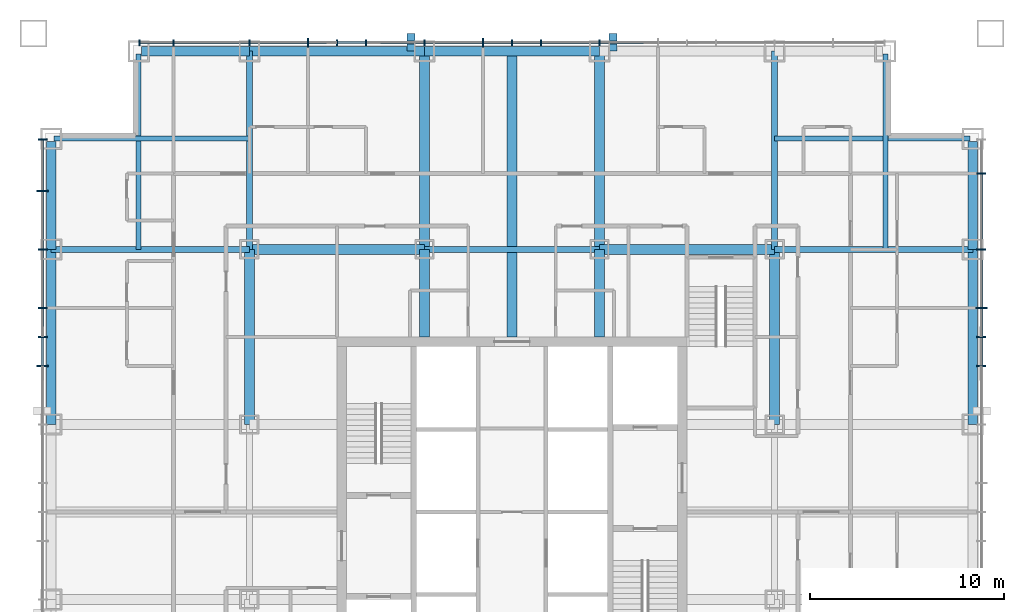
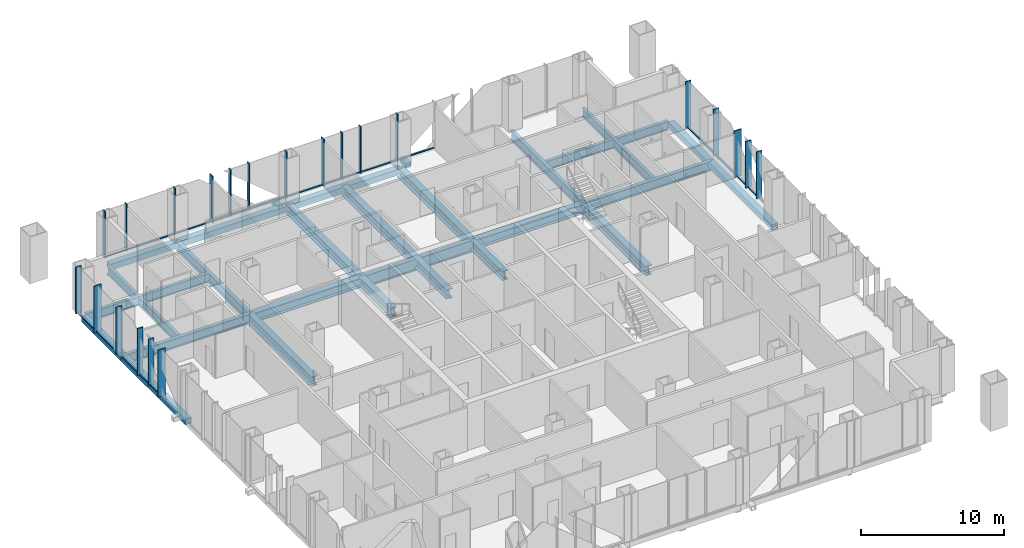
# One storey, part 5 of 18: 44 members, 25 beams, 3 elements without a shape of their own.
"""IFC4 building model written with IfcOpenShell, lengths in metres."""

from ifc_helpers import new_model, si_unit, direction, frame, origin, origin_2d, place, context, subcontext, project, spatial, rectangle, hollow_rectangle, i_section, extrude, material, layer, layer_set, material_profile, profile_set, type_object, element, aggregate, save


model = new_model("IFC4")

# Units and contexts
model_context = context("Model", 3, precision=1e-05, world=origin(), true_north=direction((0.0, 1.0)))
body_context = subcontext(model_context, "Body", "Model", "MODEL_VIEW")
ifc_project = project(units=[si_unit("LENGTHUNIT", "METRE"), si_unit("AREAUNIT", "SQUARE_METRE"), si_unit("VOLUMEUNIT", "CUBIC_METRE"), si_unit("PLANEANGLEUNIT", "RADIAN"), si_unit("MASSUNIT", "GRAM", prefix="KILO")], contexts=[model_context])

# Site, building, storey
site_placement = place(None, origin())
site = spatial("IfcSite", under=ifc_project, at=site_placement, CompositionType="ELEMENT")
building_placement = place(site_placement, origin())
building = spatial("IfcBuilding", under=site, at=building_placement, Name="Malebo Sky Hospital", CompositionType="ELEMENT")
storey_placement = place(building_placement, frame((0.0, 0.0, 124.0)))
storey = spatial("IfcBuildingStorey", under=building, at=storey_placement, Name="L29", CompositionType="ELEMENT", Elevation=124.0)

# Curtain wall, members
ifc_material_1 = material(Name="Anodised aluminium, natural silver", Category="aluminium")
ifc_layer_1 = layer(ifc_material_1, 0.25)
ifc_layer_set_1 = layer_set([ifc_layer_1], Name="WARD CURTAIN WALL NORTH AND SOUTH")
curtain_wall_type_1 = type_object("IfcCurtainWallType", Name="WARD CURTAIN WALL NORTH AND SOUTH", PredefinedType="NOTDEFINED", material=ifc_layer_set_1)
curtain_wall_1_placement = place(storey_placement, origin())
curtain_wall_1 = element("IfcCurtainWall", 1, at=curtain_wall_1_placement, inside=storey, type_object=curtain_wall_type_1, Name="NS curtain wall N", PredefinedType="NOTDEFINED")
ifc_material_profile_1 = material_profile(ifc_material_1, rectangle(XDim=0.14990234375, YDim=0.10009765625, at=origin_2d()), Name="ALUMINIUM TRANSOM 150x100")
ifc_profile_set_1 = profile_set([ifc_material_profile_1], Name="Anodised aluminium, natural silver")
member_type_1 = type_object("IfcMemberType", Name="ALUMINIUM TRANSOM 150x100", PredefinedType="USERDEFINED", material=ifc_profile_set_1)
member_1_placement = place(storey_placement, frame((40.875, 86.135009765625, 0.050048828125), z_axis=(1.0, 0.0, 0.0), x_axis=(0.0, 1.0, 0.0)))
member_1 = element("IfcMember", 2, at=member_1_placement, type_object=member_type_1, Name="Transom 1", ObjectType="TRANSOM", PredefinedType="USERDEFINED", context=body_context, shape_type="SweptSolid", body=[
    extrude(rectangle(XDim=0.14990234375, YDim=0.10009765625, at=origin_2d()), origin(), (0.0, 0.0, 1.0), 1.6875),
])
member_2_placement = place(storey_placement, frame((42.637451171875, 86.135009765625, 0.050048828125), z_axis=(1.0, 0.0, 0.0), x_axis=(0.0, 1.0, 0.0)))
member_2 = element("IfcMember", 3, at=member_2_placement, type_object=member_type_1, Name="Transom 2", ObjectType="TRANSOM", PredefinedType="USERDEFINED", context=body_context, shape_type="SweptSolid", body=[
    extrude(rectangle(XDim=0.14990234375, YDim=0.10009765625, at=origin_2d()), origin(), (0.0, 0.0, 1.0), 3.824951171875),
])
member_3_placement = place(storey_placement, frame((46.53759765625, 86.135009765625, 0.050048828125), z_axis=(1.0, 0.0, 0.0), x_axis=(0.0, 1.0, 0.0)))
member_3 = element("IfcMember", 4, at=member_3_placement, type_object=member_type_1, Name="Transom 3", ObjectType="TRANSOM", PredefinedType="USERDEFINED", context=body_context, shape_type="SweptSolid", body=[
    extrude(rectangle(XDim=0.14990234375, YDim=0.10009765625, at=origin_2d()), origin(), (0.0, 0.0, 1.0), 2.9248046875),
])
member_4_placement = place(storey_placement, frame((49.53759765625, 86.135009765625, 0.050048828125), z_axis=(1.0, 0.0, 0.0), x_axis=(0.0, 1.0, 0.0)))
member_4 = element("IfcMember", 5, at=member_4_placement, type_object=member_type_1, Name="Transom 4", ObjectType="TRANSOM", PredefinedType="USERDEFINED", context=body_context, shape_type="SweptSolid", body=[
    extrude(rectangle(XDim=0.14990234375, YDim=0.10009765625, at=origin_2d()), origin(), (0.0, 0.0, 1.0), 1.4248046875),
])
member_5_placement = place(storey_placement, frame((51.03759765625, 86.135009765625, 0.050048828125), z_axis=(1.0, 0.0, 0.0), x_axis=(0.0, 1.0, 0.0)))
member_5 = element("IfcMember", 6, at=member_5_placement, type_object=member_type_1, Name="Transom 5", ObjectType="TRANSOM", PredefinedType="USERDEFINED", context=body_context, shape_type="SweptSolid", body=[
    extrude(rectangle(XDim=0.14990234375, YDim=0.10009765625, at=origin_2d()), origin(), (0.0, 0.0, 1.0), 1.4248046875),
])
member_6_placement = place(storey_placement, frame((52.53759765625, 86.135009765625, 0.050048828125), z_axis=(1.0, 0.0, 0.0), x_axis=(0.0, 1.0, 0.0)))
member_6 = element("IfcMember", 7, at=member_6_placement, type_object=member_type_1, Name="Transom 6", ObjectType="TRANSOM", PredefinedType="USERDEFINED", context=body_context, shape_type="SweptSolid", body=[
    extrude(rectangle(XDim=0.14990234375, YDim=0.10009765625, at=origin_2d()), origin(), (0.0, 0.0, 1.0), 2.9248046875),
])
member_7_placement = place(storey_placement, frame((55.53759765625, 86.135009765625, 0.050048828125), z_axis=(1.0, 0.0, 0.0), x_axis=(0.0, 1.0, 0.0)))
member_7 = element("IfcMember", 8, at=member_7_placement, type_object=member_type_1, Name="Transom 7", ObjectType="TRANSOM", PredefinedType="USERDEFINED", context=body_context, shape_type="SweptSolid", body=[
    extrude(rectangle(XDim=0.14990234375, YDim=0.10009765625, at=origin_2d()), origin(), (0.0, 0.0, 1.0), 2.9248046875),
])
member_8_placement = place(storey_placement, frame((58.53759765625, 86.135009765625, 0.050048828125), z_axis=(1.0, 0.0, 0.0), x_axis=(0.0, 1.0, 0.0)))
member_8 = element("IfcMember", 9, at=member_8_placement, type_object=member_type_1, Name="Transom 8", ObjectType="TRANSOM", PredefinedType="USERDEFINED", context=body_context, shape_type="SweptSolid", body=[
    extrude(rectangle(XDim=0.14990234375, YDim=0.10009765625, at=origin_2d()), origin(), (0.0, 0.0, 1.0), 1.4248046875),
])
member_9_placement = place(storey_placement, frame((60.03759765625, 86.135009765625, 0.050048828125), z_axis=(1.0, 0.0, 0.0), x_axis=(0.0, 1.0, 0.0)))
member_9 = element("IfcMember", 10, at=member_9_placement, type_object=member_type_1, Name="Transom 9", ObjectType="TRANSOM", PredefinedType="USERDEFINED", context=body_context, shape_type="SweptSolid", body=[
    extrude(rectangle(XDim=0.14990234375, YDim=0.10009765625, at=origin_2d()), origin(), (0.0, 0.0, 1.0), 1.4248046875),
])
member_10_placement = place(storey_placement, frame((61.53759765625, 86.135009765625, 0.050048828125), z_axis=(1.0, 0.0, 0.0), x_axis=(0.0, 1.0, 0.0)))
member_10 = element("IfcMember", 11, at=member_10_placement, type_object=member_type_1, Name="Transom 10", ObjectType="TRANSOM", PredefinedType="USERDEFINED", context=body_context, shape_type="SweptSolid", body=[
    extrude(rectangle(XDim=0.14990234375, YDim=0.10009765625, at=origin_2d()), origin(), (0.0, 0.0, 1.0), 2.9248046875),
])
member_11_placement = place(storey_placement, frame((64.53759765625, 86.135009765625, 0.050048828125), z_axis=(1.0, 0.0, 0.0), x_axis=(0.0, 1.0, 0.0)))
member_11 = element("IfcMember", 12, at=member_11_placement, type_object=member_type_1, Name="Transom 11", ObjectType="TRANSOM", PredefinedType="USERDEFINED", context=body_context, shape_type="SweptSolid", body=[
    extrude(rectangle(XDim=0.14990234375, YDim=0.10009765625, at=origin_2d()), origin(), (0.0, 0.0, 1.0), 2.9248046875),
])

ifc_layer_2 = layer(ifc_material_1, 0.25)
ifc_layer_set_2 = layer_set([ifc_layer_2], Name="WARD CURTAIN WALL EAST AND WEST")
curtain_wall_type_2 = type_object("IfcCurtainWallType", Name="WARD CURTAIN WALL EAST AND WEST", PredefinedType="NOTDEFINED", material=ifc_layer_set_2)
curtain_wall_2_placement = place(storey_placement, origin())
curtain_wall_2 = element("IfcCurtainWall", 13, at=curtain_wall_2_placement, inside=storey, type_object=curtain_wall_type_2, Name="EW curtain wall W", PredefinedType="NOTDEFINED")
member_12_placement = place(storey_placement, frame((35.864990234375, 69.53759765625, 0.050048828125), z_axis=(0.0, 1.0, 0.0), x_axis=(-1.0, 0.0, 0.0)))
member_12 = element("IfcMember", 14, at=member_12_placement, type_object=member_type_1, Name="Transom 12", ObjectType="TRANSOM", PredefinedType="USERDEFINED", context=body_context, shape_type="SweptSolid", body=[
    extrude(rectangle(XDim=0.14990234375, YDim=0.10009765625, at=origin_2d()), origin(), (0.0, 0.0, 1.0), 1.4248046875),
])
member_13_placement = place(storey_placement, frame((35.864990234375, 71.03759765625, 0.050048828125), z_axis=(0.0, 1.0, 0.0), x_axis=(-1.0, 0.0, 0.0)))
member_13 = element("IfcMember", 15, at=member_13_placement, type_object=member_type_1, Name="Transom 13", ObjectType="TRANSOM", PredefinedType="USERDEFINED", context=body_context, shape_type="SweptSolid", body=[
    extrude(rectangle(XDim=0.14990234375, YDim=0.10009765625, at=origin_2d()), origin(), (0.0, 0.0, 1.0), 1.4248046875),
])
member_14_placement = place(storey_placement, frame((35.864990234375, 72.53759765625, 0.050048828125), z_axis=(0.0, 1.0, 0.0), x_axis=(-1.0, 0.0, 0.0)))
member_14 = element("IfcMember", 16, at=member_14_placement, type_object=member_type_1, Name="Transom 14", ObjectType="TRANSOM", PredefinedType="USERDEFINED", context=body_context, shape_type="SweptSolid", body=[
    extrude(rectangle(XDim=0.14990234375, YDim=0.10009765625, at=origin_2d()), origin(), (0.0, 0.0, 1.0), 2.9248046875),
])
member_15_placement = place(storey_placement, frame((35.864990234375, 75.53759765625, 0.050048828125), z_axis=(0.0, 1.0, 0.0), x_axis=(-1.0, 0.0, 0.0)))
member_15 = element("IfcMember", 17, at=member_15_placement, type_object=member_type_1, Name="Transom 15", ObjectType="TRANSOM", PredefinedType="USERDEFINED", context=body_context, shape_type="SweptSolid", body=[
    extrude(rectangle(XDim=0.14990234375, YDim=0.10009765625, at=origin_2d()), origin(), (0.0, 0.0, 1.0), 2.9248046875),
])
member_16_placement = place(storey_placement, frame((35.864990234375, 78.53759765625, 0.050048828125), z_axis=(0.0, 1.0, 0.0), x_axis=(-1.0, 0.0, 0.0)))
member_16 = element("IfcMember", 18, at=member_16_placement, type_object=member_type_1, Name="Transom 16", ObjectType="TRANSOM", PredefinedType="USERDEFINED", context=body_context, shape_type="SweptSolid", body=[
    extrude(rectangle(XDim=0.14990234375, YDim=0.10009765625, at=origin_2d()), origin(), (0.0, 0.0, 1.0), 2.58740234375),
])

curtain_wall_3_placement = place(storey_placement, origin())
curtain_wall_3 = element("IfcCurtainWall", 19, at=curtain_wall_3_placement, inside=storey, type_object=curtain_wall_type_2, Name="EW curtain wall E", PredefinedType="NOTDEFINED")
member_17_placement = place(storey_placement, frame((84.135009765625, 79.362548828125, 0.050048828125), z_axis=(0.0, -1.0, 0.0), x_axis=(1.0, 0.0, 0.0)))
member_17 = element("IfcMember", 20, at=member_17_placement, type_object=member_type_1, Name="Transom 2", ObjectType="TRANSOM", PredefinedType="USERDEFINED", context=body_context, shape_type="SweptSolid", body=[
    extrude(rectangle(XDim=0.14990234375, YDim=0.10009765625, at=origin_2d()), origin(), (0.0, 0.0, 1.0), 3.824951171875),
])
member_18_placement = place(storey_placement, frame((84.135009765625, 75.46240234375, 0.050048828125), z_axis=(0.0, -1.0, 0.0), x_axis=(1.0, 0.0, 0.0)))
member_18 = element("IfcMember", 21, at=member_18_placement, type_object=member_type_1, Name="Transom 3", ObjectType="TRANSOM", PredefinedType="USERDEFINED", context=body_context, shape_type="SweptSolid", body=[
    extrude(rectangle(XDim=0.14990234375, YDim=0.10009765625, at=origin_2d()), origin(), (0.0, 0.0, 1.0), 2.9248046875),
])
member_19_placement = place(storey_placement, frame((84.135009765625, 72.46240234375, 0.050048828125), z_axis=(0.0, -1.0, 0.0), x_axis=(1.0, 0.0, 0.0)))
member_19 = element("IfcMember", 22, at=member_19_placement, type_object=member_type_1, Name="Transom 4", ObjectType="TRANSOM", PredefinedType="USERDEFINED", context=body_context, shape_type="SweptSolid", body=[
    extrude(rectangle(XDim=0.14990234375, YDim=0.10009765625, at=origin_2d()), origin(), (0.0, 0.0, 1.0), 1.4248046875),
])
member_20_placement = place(storey_placement, frame((84.135009765625, 70.96240234375, 0.050048828125), z_axis=(0.0, -1.0, 0.0), x_axis=(1.0, 0.0, 0.0)))
member_20 = element("IfcMember", 23, at=member_20_placement, type_object=member_type_1, Name="Transom 5", ObjectType="TRANSOM", PredefinedType="USERDEFINED", context=body_context, shape_type="SweptSolid", body=[
    extrude(rectangle(XDim=0.14990234375, YDim=0.10009765625, at=origin_2d()), origin(), (0.0, 0.0, 1.0), 1.4248046875),
])

# Members
ifc_material_2 = material(Name="Steel S355", Category="steel")
ifc_material_profile_2 = material_profile(ifc_material_2, hollow_rectangle(XDim=0.39990234375, YDim=0.39990234375, WallThickness=0.02001953125, at=origin_2d()), Name="SHS 400x20")
ifc_profile_set_2 = profile_set([ifc_material_profile_2], Name="Steel S355")
member_type_2 = type_object("IfcMemberType", Name="BRACE STRUT SHS 400x20", PredefinedType="STRUT", material=ifc_profile_set_2)
for number, where, z_axis, x_axis, name in (
    (24, (54.81298828125, 86.60009765625, -0.39990234375), (0.0, -1.0, 0.0), (1.0, 0.0, 0.0), "Brace strut BN1 L29"),
    (25, (65.18701171875, 86.60009765625, -0.39990234375), (0.0, -1.0, 0.0), (1.0, 0.0, 0.0), "Brace strut BN2 L29"),
):
    element("IfcMember", number, at=place(storey_placement, frame(where, z_axis=z_axis, x_axis=x_axis)), inside=storey, type_object=member_type_2, Name=name, PredefinedType="STRUT", context=body_context, shape_type="SweptSolid", body=[
        extrude(hollow_rectangle(XDim=0.39990234375, YDim=0.39990234375, WallThickness=0.02001953125, at=origin_2d()), origin(), (0.0, 0.0, 1.0), 0.900146484375),
    ])

# Member
ifc_material_profile_3 = material_profile(ifc_material_1, rectangle(XDim=0.074951171875, YDim=0.300048828125, at=origin_2d()), Name="CW1 ALUMINIUM FIN MULLION 75x300")
ifc_profile_set_3 = profile_set([ifc_material_profile_3], Name="Anodised aluminium, natural silver")
member_type_3 = type_object("IfcMemberType", Name="CW1 ALUMINIUM FIN MULLION 75x300", PredefinedType="MULLION", material=ifc_profile_set_3)
member_21_placement = place(storey_placement, frame((40.83740234375, 86.135009765625, 0.0), z_axis=(0.0, 0.0, 1.0), x_axis=(1.0, 0.0, 0.0)))
member_21 = element("IfcMember", 26, at=member_21_placement, type_object=member_type_3, Name="Fin mullion 1", PredefinedType="MULLION", context=body_context, shape_type="SweptSolid", body=[
    extrude(rectangle(XDim=0.074951171875, YDim=0.300048828125, at=origin_2d()), origin(), (0.0, 0.0, 1.0), 4.0),
])

member_22_placement = place(storey_placement, frame((42.60009765625, 86.135009765625, 0.0), z_axis=(0.0, 0.0, 1.0), x_axis=(1.0, 0.0, 0.0)))
member_22 = element("IfcMember", 27, at=member_22_placement, type_object=member_type_3, Name="Fin mullion 2", PredefinedType="MULLION", context=body_context, shape_type="SweptSolid", body=[
    extrude(rectangle(XDim=0.074951171875, YDim=0.300048828125, at=origin_2d()), origin(), (0.0, 0.0, 1.0), 4.0),
])

member_23_placement = place(storey_placement, frame((46.5, 86.135009765625, 0.0), z_axis=(0.0, 0.0, 1.0), x_axis=(1.0, 0.0, 0.0)))
member_23 = element("IfcMember", 28, at=member_23_placement, type_object=member_type_3, Name="Fin mullion 3", PredefinedType="MULLION", context=body_context, shape_type="SweptSolid", body=[
    extrude(rectangle(XDim=0.074951171875, YDim=0.300048828125, at=origin_2d()), origin(), (0.0, 0.0, 1.0), 4.0),
])

member_24_placement = place(storey_placement, frame((51.0, 86.135009765625, 0.0), z_axis=(0.0, 0.0, 1.0), x_axis=(1.0, 0.0, 0.0)))
member_24 = element("IfcMember", 29, at=member_24_placement, type_object=member_type_3, Name="Fin mullion 5", PredefinedType="MULLION", context=body_context, shape_type="SweptSolid", body=[
    extrude(rectangle(XDim=0.074951171875, YDim=0.300048828125, at=origin_2d()), origin(), (0.0, 0.0, 1.0), 4.0),
])

member_25_placement = place(storey_placement, frame((52.5, 86.135009765625, 0.0), z_axis=(0.0, 0.0, 1.0), x_axis=(1.0, 0.0, 0.0)))
member_25 = element("IfcMember", 30, at=member_25_placement, type_object=member_type_3, Name="Fin mullion 6", PredefinedType="MULLION", context=body_context, shape_type="SweptSolid", body=[
    extrude(rectangle(XDim=0.074951171875, YDim=0.300048828125, at=origin_2d()), origin(), (0.0, 0.0, 1.0), 4.0),
])

member_26_placement = place(storey_placement, frame((55.5, 86.135009765625, 0.0), z_axis=(0.0, 0.0, 1.0), x_axis=(1.0, 0.0, 0.0)))
member_26 = element("IfcMember", 31, at=member_26_placement, type_object=member_type_3, Name="Fin mullion 7", PredefinedType="MULLION", context=body_context, shape_type="SweptSolid", body=[
    extrude(rectangle(XDim=0.074951171875, YDim=0.300048828125, at=origin_2d()), origin(), (0.0, 0.0, 1.0), 4.0),
])

member_27_placement = place(storey_placement, frame((60.0, 86.135009765625, 0.0), z_axis=(0.0, 0.0, 1.0), x_axis=(1.0, 0.0, 0.0)))
member_27 = element("IfcMember", 32, at=member_27_placement, type_object=member_type_3, Name="Fin mullion 9", PredefinedType="MULLION", context=body_context, shape_type="SweptSolid", body=[
    extrude(rectangle(XDim=0.074951171875, YDim=0.300048828125, at=origin_2d()), origin(), (0.0, 0.0, 1.0), 4.0),
])

member_28_placement = place(storey_placement, frame((61.5, 86.135009765625, 0.0), z_axis=(0.0, 0.0, 1.0), x_axis=(1.0, 0.0, 0.0)))
member_28 = element("IfcMember", 33, at=member_28_placement, type_object=member_type_3, Name="Fin mullion 10", PredefinedType="MULLION", context=body_context, shape_type="SweptSolid", body=[
    extrude(rectangle(XDim=0.074951171875, YDim=0.300048828125, at=origin_2d()), origin(), (0.0, 0.0, 1.0), 4.0),
])

member_29_placement = place(storey_placement, frame((64.5, 86.135009765625, 0.0), z_axis=(0.0, 0.0, 1.0), x_axis=(1.0, 0.0, 0.0)))
member_29 = element("IfcMember", 34, at=member_29_placement, type_object=member_type_3, Name="Fin mullion 11", PredefinedType="MULLION", context=body_context, shape_type="SweptSolid", body=[
    extrude(rectangle(XDim=0.074951171875, YDim=0.300048828125, at=origin_2d()), origin(), (0.0, 0.0, 1.0), 4.0),
])

ifc_material_profile_4 = material_profile(ifc_material_1, rectangle(XDim=0.074951171875, YDim=0.449951171875, at=origin_2d()), Name="CW1 ALUMINIUM FIN MULLION 75x450")
ifc_profile_set_4 = profile_set([ifc_material_profile_4], Name="Anodised aluminium, natural silver")
member_type_4 = type_object("IfcMemberType", Name="CW1 ALUMINIUM FIN MULLION 75x450", PredefinedType="MULLION", material=ifc_profile_set_4)
member_30_placement = place(storey_placement, frame((49.5, 86.135009765625, 0.0), z_axis=(0.0, 0.0, 1.0), x_axis=(1.0, 0.0, 0.0)))
member_30 = element("IfcMember", 35, at=member_30_placement, type_object=member_type_4, Name="Fin mullion 4", PredefinedType="MULLION", context=body_context, shape_type="SweptSolid", body=[
    extrude(rectangle(XDim=0.074951171875, YDim=0.449951171875, at=origin_2d()), origin(), (0.0, 0.0, 1.0), 4.0),
])

member_31_placement = place(storey_placement, frame((58.5, 86.135009765625, 0.0), z_axis=(0.0, 0.0, 1.0), x_axis=(1.0, 0.0, 0.0)))
member_31 = element("IfcMember", 36, at=member_31_placement, type_object=member_type_4, Name="Fin mullion 8", PredefinedType="MULLION", context=body_context, shape_type="SweptSolid", body=[
    extrude(rectangle(XDim=0.074951171875, YDim=0.449951171875, at=origin_2d()), origin(), (0.0, 0.0, 1.0), 4.0),
])

aggregate(curtain_wall_1, [member_21, member_22, member_23, member_30, member_24, member_25, member_26, member_31, member_27, member_28, member_29, member_1, member_2, member_3, member_4, member_5, member_6, member_7, member_8, member_9, member_10, member_11])

ifc_material_profile_5 = material_profile(ifc_material_1, rectangle(XDim=0.074951171875, YDim=0.449951171875, at=origin_2d()), Name="CW2 ALUMINIUM FIN MULLION 75x450")
ifc_profile_set_5 = profile_set([ifc_material_profile_5], Name="Anodised aluminium, natural silver")
member_type_5 = type_object("IfcMemberType", Name="CW2 ALUMINIUM FIN MULLION 75x450", PredefinedType="MULLION", material=ifc_profile_set_5)
member_32_placement = place(storey_placement, frame((35.864990234375, 71.0, 0.0), z_axis=(0.0, 0.0, 1.0), x_axis=(0.0, 1.0, 0.0)))
member_32 = element("IfcMember", 37, at=member_32_placement, type_object=member_type_5, Name="Fin mullion 13", PredefinedType="MULLION", context=body_context, shape_type="SweptSolid", body=[
    extrude(rectangle(XDim=0.074951171875, YDim=0.449951171875, at=origin_2d()), origin(), (0.0, 0.0, 1.0), 4.0),
])

member_33_placement = place(storey_placement, frame((35.864990234375, 72.5, 0.0), z_axis=(0.0, 0.0, 1.0), x_axis=(0.0, 1.0, 0.0)))
member_33 = element("IfcMember", 38, at=member_33_placement, type_object=member_type_5, Name="Fin mullion 14", PredefinedType="MULLION", context=body_context, shape_type="SweptSolid", body=[
    extrude(rectangle(XDim=0.074951171875, YDim=0.449951171875, at=origin_2d()), origin(), (0.0, 0.0, 1.0), 4.0),
])

member_34_placement = place(storey_placement, frame((35.864990234375, 75.5, 0.0), z_axis=(0.0, 0.0, 1.0), x_axis=(0.0, 1.0, 0.0)))
member_34 = element("IfcMember", 39, at=member_34_placement, type_object=member_type_5, Name="Fin mullion 15", PredefinedType="MULLION", context=body_context, shape_type="SweptSolid", body=[
    extrude(rectangle(XDim=0.074951171875, YDim=0.449951171875, at=origin_2d()), origin(), (0.0, 0.0, 1.0), 4.0),
])

member_35_placement = place(storey_placement, frame((35.864990234375, 81.16259765625, 0.0), z_axis=(0.0, 0.0, 1.0), x_axis=(0.0, 1.0, 0.0)))
member_35 = element("IfcMember", 40, at=member_35_placement, type_object=member_type_5, Name="Fin mullion 17", PredefinedType="MULLION", context=body_context, shape_type="SweptSolid", body=[
    extrude(rectangle(XDim=0.074951171875, YDim=0.449951171875, at=origin_2d()), origin(), (0.0, 0.0, 1.0), 4.0),
])

member_36_placement = place(storey_placement, frame((84.135009765625, 79.39990234375, 0.0), z_axis=(0.0, 0.0, 1.0), x_axis=(0.0, -1.0, 0.0)))
member_36 = element("IfcMember", 41, at=member_36_placement, type_object=member_type_5, Name="Fin mullion 2", PredefinedType="MULLION", context=body_context, shape_type="SweptSolid", body=[
    extrude(rectangle(XDim=0.074951171875, YDim=0.449951171875, at=origin_2d()), origin(), (0.0, 0.0, 1.0), 4.0),
])

member_37_placement = place(storey_placement, frame((84.135009765625, 75.5, 0.0), z_axis=(0.0, 0.0, 1.0), x_axis=(0.0, -1.0, 0.0)))
member_37 = element("IfcMember", 42, at=member_37_placement, type_object=member_type_5, Name="Fin mullion 3", PredefinedType="MULLION", context=body_context, shape_type="SweptSolid", body=[
    extrude(rectangle(XDim=0.074951171875, YDim=0.449951171875, at=origin_2d()), origin(), (0.0, 0.0, 1.0), 4.0),
])

member_38_placement = place(storey_placement, frame((84.135009765625, 71.0, 0.0), z_axis=(0.0, 0.0, 1.0), x_axis=(0.0, -1.0, 0.0)))
member_38 = element("IfcMember", 43, at=member_38_placement, type_object=member_type_5, Name="Fin mullion 5", PredefinedType="MULLION", context=body_context, shape_type="SweptSolid", body=[
    extrude(rectangle(XDim=0.074951171875, YDim=0.449951171875, at=origin_2d()), origin(), (0.0, 0.0, 1.0), 4.0),
])

member_39_placement = place(storey_placement, frame((84.135009765625, 69.5, 0.0), z_axis=(0.0, 0.0, 1.0), x_axis=(0.0, -1.0, 0.0)))
member_39 = element("IfcMember", 44, at=member_39_placement, type_object=member_type_5, Name="Fin mullion 6", PredefinedType="MULLION", context=body_context, shape_type="SweptSolid", body=[
    extrude(rectangle(XDim=0.074951171875, YDim=0.449951171875, at=origin_2d()), origin(), (0.0, 0.0, 1.0), 4.0),
])

ifc_material_profile_6 = material_profile(ifc_material_1, rectangle(XDim=0.074951171875, YDim=0.60009765625, at=origin_2d()), Name="CW2 ALUMINIUM FIN MULLION 75x600")
ifc_profile_set_6 = profile_set([ifc_material_profile_6], Name="Anodised aluminium, natural silver")
member_type_6 = type_object("IfcMemberType", Name="CW2 ALUMINIUM FIN MULLION 75x600", PredefinedType="MULLION", material=ifc_profile_set_6)
member_40_placement = place(storey_placement, frame((35.864990234375, 69.5, 0.0), z_axis=(0.0, 0.0, 1.0), x_axis=(0.0, 1.0, 0.0)))
member_40 = element("IfcMember", 45, at=member_40_placement, type_object=member_type_6, Name="Fin mullion 12", PredefinedType="MULLION", context=body_context, shape_type="SweptSolid", body=[
    extrude(rectangle(XDim=0.074951171875, YDim=0.60009765625, at=origin_2d()), origin(), (0.0, 0.0, 1.0), 4.0),
])

member_41_placement = place(storey_placement, frame((35.864990234375, 78.5, 0.0), z_axis=(0.0, 0.0, 1.0), x_axis=(0.0, 1.0, 0.0)))
member_41 = element("IfcMember", 46, at=member_41_placement, type_object=member_type_6, Name="Fin mullion 16", PredefinedType="MULLION", context=body_context, shape_type="SweptSolid", body=[
    extrude(rectangle(XDim=0.074951171875, YDim=0.60009765625, at=origin_2d()), origin(), (0.0, 0.0, 1.0), 4.0),
])

aggregate(curtain_wall_2, [member_40, member_32, member_33, member_34, member_41, member_35, member_12, member_13, member_14, member_15, member_16])

member_42_placement = place(storey_placement, frame((84.135009765625, 72.5, 0.0), z_axis=(0.0, 0.0, 1.0), x_axis=(0.0, -1.0, 0.0)))
member_42 = element("IfcMember", 47, at=member_42_placement, type_object=member_type_6, Name="Fin mullion 4", PredefinedType="MULLION", context=body_context, shape_type="SweptSolid", body=[
    extrude(rectangle(XDim=0.074951171875, YDim=0.60009765625, at=origin_2d()), origin(), (0.0, 0.0, 1.0), 4.0),
])

aggregate(curtain_wall_3, [member_36, member_37, member_42, member_38, member_39, member_17, member_18, member_19, member_20])

# Beams
ifc_material_3 = material(Name="Steel S460", Category="steel")
ifc_material_profile_7 = material_profile(ifc_material_3, hollow_rectangle(XDim=0.5, YDim=0.5, WallThickness=0.030029296875, at=origin_2d()), Name="BOX 500x500x30")
ifc_profile_set_7 = profile_set([ifc_material_profile_7], Name="Steel S460")
beam_type_1 = type_object("IfcBeamType", Name="EDGE BEAM BOX 500x500x30", PredefinedType="BEAM", material=ifc_profile_set_7)
beam_1_placement = place(storey_placement, frame((36.300048828125, 66.5, -0.5), z_axis=(0.0, 1.0, 0.0), x_axis=(-1.0, 0.0, 0.0)))
element("IfcBeam", 48, at=beam_1_placement, inside=storey, type_object=beam_type_1, Name="Beam 003 L29", PredefinedType="BEAM", context=body_context, shape_type="SweptSolid", body=[
    extrude(hollow_rectangle(XDim=0.5, YDim=0.5, WallThickness=0.030029296875, at=origin_2d()), origin(), (0.0, 0.0, 1.0), 9.0),
])
beam_2_placement = place(storey_placement, frame((36.300048828125, 75.5, -0.5), z_axis=(0.0, 1.0, 0.0), x_axis=(-1.0, 0.0, 0.0)))
element("IfcBeam", 49, at=beam_2_placement, inside=storey, type_object=beam_type_1, Name="Beam 004 L29", PredefinedType="BEAM", context=body_context, shape_type="SweptSolid", body=[
    extrude(hollow_rectangle(XDim=0.5, YDim=0.5, WallThickness=0.030029296875, at=origin_2d()), origin(), (0.0, 0.0, 1.0), 5.550048828125),
])
beam_3_placement = place(storey_placement, frame((83.699951171875, 66.5, -0.5), z_axis=(0.0, 1.0, 0.0), x_axis=(-1.0, 0.0, 0.0)))
element("IfcBeam", 50, at=beam_3_placement, inside=storey, type_object=beam_type_1, Name="Beam 032 L29", PredefinedType="BEAM", context=body_context, shape_type="SweptSolid", body=[
    extrude(hollow_rectangle(XDim=0.5, YDim=0.5, WallThickness=0.030029296875, at=origin_2d()), origin(), (0.0, 0.0, 1.0), 9.0),
])
for number, where, z_axis, x_axis, name in (
    (51, (83.699951171875, 75.5, -0.5), (0.0, 1.0, 0.0), (-1.0, 0.0, 0.0), "Beam 033 L29"),
    (52, (40.949951171875, 85.699951171875, -0.5), (1.0, 0.0, 0.0), (0.0, 1.0, 0.0), "Beam 063 L29"),
):
    element("IfcBeam", number, at=place(storey_placement, frame(where, z_axis=z_axis, x_axis=x_axis)), inside=storey, type_object=beam_type_1, Name=name, PredefinedType="BEAM", context=body_context, shape_type="SweptSolid", body=[
        extrude(hollow_rectangle(XDim=0.5, YDim=0.5, WallThickness=0.030029296875, at=origin_2d()), origin(), (0.0, 0.0, 1.0), 5.550048828125),
    ])
for number, where, z_axis, x_axis, name in (
    (53, (46.5, 85.699951171875, -0.5), (1.0, 0.0, 0.0), (0.0, 1.0, 0.0), "Beam 064 L29"),
    (54, (55.5, 85.699951171875, -0.5), (1.0, 0.0, 0.0), (0.0, 1.0, 0.0), "Beam 065 L29"),
):
    element("IfcBeam", number, at=place(storey_placement, frame(where, z_axis=z_axis, x_axis=x_axis)), inside=storey, type_object=beam_type_1, Name=name, PredefinedType="BEAM", context=body_context, shape_type="SweptSolid", body=[
        extrude(hollow_rectangle(XDim=0.5, YDim=0.5, WallThickness=0.030029296875, at=origin_2d()), origin(), (0.0, 0.0, 1.0), 9.0),
    ])
ifc_material_profile_8 = material_profile(ifc_material_2, i_section(OverallWidth=0.262939453125, OverallDepth=0.7529296875, WebThickness=0.011474609375, FlangeThickness=0.01708984375, FilletRadius=0.01708984375, at=origin_2d()), Name="IPE 750x137")
ifc_profile_set_8 = profile_set([ifc_material_profile_8], Name="Steel S355")
beam_type_2 = type_object("IfcBeamType", Name="FLOOR BEAM IPE 750x137", PredefinedType="BEAM", material=ifc_profile_set_8)
for number, where, z_axis, x_axis, name in (
    (55, (40.800048828125, 75.5, -0.62646484375), (0.0, 1.0, 0.0), (-1.0, 0.0, 0.0), "Beam 006 L29"),
    (56, (79.199951171875, 75.5, -0.62646484375), (0.0, 1.0, 0.0), (-1.0, 0.0, 0.0), "Beam 028 L29"),
    (57, (36.449951171875, 81.199951171875, -0.62646484375), (1.0, 0.0, 0.0), (0.0, 1.0, 0.0), "Beam 061 L29"),
    (58, (73.5, 81.199951171875, -0.62646484375), (1.0, 0.0, 0.0), (0.0, 1.0, 0.0), "Beam 062 L29"),
):
    element("IfcBeam", number, at=place(storey_placement, frame(where, z_axis=z_axis, x_axis=x_axis)), inside=storey, type_object=beam_type_2, Name=name, PredefinedType="BEAM", context=body_context, shape_type="SweptSolid", body=[
        extrude(i_section(OverallWidth=0.262939453125, OverallDepth=0.7529296875, WebThickness=0.011474609375, FlangeThickness=0.01708984375, FilletRadius=0.01708984375, at=origin_2d()), origin(), (0.0, 0.0, 1.0), 10.050048828125),
    ])
ifc_material_profile_9 = material_profile(ifc_material_2, i_section(OverallWidth=0.5, OverallDepth=0.800048828125, WebThickness=0.030029296875, FlangeThickness=0.050048828125, at=origin_2d()), Name="PG 800x500x30x50")
ifc_profile_set_9 = profile_set([ifc_material_profile_9], Name="Steel S355")
beam_type_3 = type_object("IfcBeamType", Name="FLOOR BEAM PG 800x500x30x50", PredefinedType="BEAM", material=ifc_profile_set_9)
beam_4_placement = place(storey_placement, frame((46.5, 66.5, -0.64990234375), z_axis=(0.0, 1.0, 0.0), x_axis=(-1.0, 0.0, 0.0)))
element("IfcBeam", 59, at=beam_4_placement, inside=storey, type_object=beam_type_3, Name="Beam 010 L29", PredefinedType="BEAM", context=body_context, shape_type="SweptSolid", body=[
    extrude(i_section(OverallWidth=0.5, OverallDepth=0.800048828125, WebThickness=0.030029296875, FlangeThickness=0.050048828125, at=origin_2d()), origin(), (0.0, 0.0, 1.0), 9.0),
])
beam_5_placement = place(storey_placement, frame((55.5, 71.0, -0.64990234375), z_axis=(0.0, 1.0, 0.0), x_axis=(-1.0, 0.0, 0.0)))
element("IfcBeam", 60, at=beam_5_placement, inside=storey, type_object=beam_type_3, Name="Beam 014 L29", PredefinedType="BEAM", context=body_context, shape_type="SweptSolid", body=[
    extrude(i_section(OverallWidth=0.5, OverallDepth=0.800048828125, WebThickness=0.030029296875, FlangeThickness=0.050048828125, at=origin_2d()), origin(), (0.0, 0.0, 1.0), 4.5),
])
beam_6_placement = place(storey_placement, frame((55.5, 75.5, -0.64990234375), z_axis=(0.0, 1.0, 0.0), x_axis=(-1.0, 0.0, 0.0)))
element("IfcBeam", 61, at=beam_6_placement, inside=storey, type_object=beam_type_3, Name="Beam 015 L29", PredefinedType="BEAM", context=body_context, shape_type="SweptSolid", body=[
    extrude(i_section(OverallWidth=0.5, OverallDepth=0.800048828125, WebThickness=0.030029296875, FlangeThickness=0.050048828125, at=origin_2d()), origin(), (0.0, 0.0, 1.0), 10.199951171875),
])
beam_7_placement = place(storey_placement, frame((60.0, 71.0, -0.64990234375), z_axis=(0.0, 1.0, 0.0), x_axis=(-1.0, 0.0, 0.0)))
element("IfcBeam", 62, at=beam_7_placement, inside=storey, type_object=beam_type_3, Name="Beam 017 L29", PredefinedType="BEAM", context=body_context, shape_type="SweptSolid", body=[
    extrude(i_section(OverallWidth=0.5, OverallDepth=0.800048828125, WebThickness=0.030029296875, FlangeThickness=0.050048828125, at=origin_2d()), origin(), (0.0, 0.0, 1.0), 14.699951171875),
])
beam_8_placement = place(storey_placement, frame((64.5, 71.0, -0.64990234375), z_axis=(0.0, 1.0, 0.0), x_axis=(-1.0, 0.0, 0.0)))
element("IfcBeam", 63, at=beam_8_placement, inside=storey, type_object=beam_type_3, Name="Beam 020 L29", PredefinedType="BEAM", context=body_context, shape_type="SweptSolid", body=[
    extrude(i_section(OverallWidth=0.5, OverallDepth=0.800048828125, WebThickness=0.030029296875, FlangeThickness=0.050048828125, at=origin_2d()), origin(), (0.0, 0.0, 1.0), 4.5),
])
beam_9_placement = place(storey_placement, frame((64.5, 75.5, -0.64990234375), z_axis=(0.0, 1.0, 0.0), x_axis=(-1.0, 0.0, 0.0)))
element("IfcBeam", 64, at=beam_9_placement, inside=storey, type_object=beam_type_3, Name="Beam 021 L29", PredefinedType="BEAM", context=body_context, shape_type="SweptSolid", body=[
    extrude(i_section(OverallWidth=0.5, OverallDepth=0.800048828125, WebThickness=0.030029296875, FlangeThickness=0.050048828125, at=origin_2d()), origin(), (0.0, 0.0, 1.0), 10.199951171875),
])
for number, where, z_axis, x_axis, name in (
    (65, (73.5, 66.5, -0.64990234375), (0.0, 1.0, 0.0), (-1.0, 0.0, 0.0), "Beam 025 L29"),
    (66, (46.5, 75.5, -0.64990234375), (1.0, 0.0, 0.0), (0.0, 1.0, 0.0), "Beam 057 L29"),
    (67, (64.5, 75.5, -0.64990234375), (1.0, 0.0, 0.0), (0.0, 1.0, 0.0), "Beam 059 L29"),
):
    element("IfcBeam", number, at=place(storey_placement, frame(where, z_axis=z_axis, x_axis=x_axis)), inside=storey, type_object=beam_type_3, Name=name, PredefinedType="BEAM", context=body_context, shape_type="SweptSolid", body=[
        extrude(i_section(OverallWidth=0.5, OverallDepth=0.800048828125, WebThickness=0.030029296875, FlangeThickness=0.050048828125, at=origin_2d()), origin(), (0.0, 0.0, 1.0), 9.0),
    ])
ifc_material_profile_10 = material_profile(ifc_material_2, i_section(OverallWidth=0.300048828125, OverallDepth=0.800048828125, WebThickness=0.017578125, FlangeThickness=0.032958984375, FilletRadius=0.030029296875, at=origin_2d()), Name="HEB 800")
ifc_profile_set_10 = profile_set([ifc_material_profile_10], Name="Steel S355")
beam_type_4 = type_object("IfcBeamType", Name="FLOOR GIRDER HEB 800", PredefinedType="BEAM", material=ifc_profile_set_10)
for number, where, z_axis, x_axis, name in (
    (68, (46.5, 75.5, -0.64990234375), (0.0, 1.0, 0.0), (-1.0, 0.0, 0.0), "Beam 011 L29"),
    (69, (73.5, 75.5, -0.64990234375), (0.0, 1.0, 0.0), (-1.0, 0.0, 0.0), "Beam 026 L29"),
    (70, (36.300048828125, 75.5, -0.64990234375), (1.0, 0.0, 0.0), (0.0, 1.0, 0.0), "Beam 056 L29"),
    (71, (73.5, 75.5, -0.64990234375), (1.0, 0.0, 0.0), (0.0, 1.0, 0.0), "Beam 060 L29"),
):
    element("IfcBeam", number, at=place(storey_placement, frame(where, z_axis=z_axis, x_axis=x_axis)), inside=storey, type_object=beam_type_4, Name=name, PredefinedType="BEAM", context=body_context, shape_type="SweptSolid", body=[
        extrude(i_section(OverallWidth=0.300048828125, OverallDepth=0.800048828125, WebThickness=0.017578125, FlangeThickness=0.032958984375, FilletRadius=0.030029296875, at=origin_2d()), origin(), (0.0, 0.0, 1.0), 10.199951171875),
    ])
ifc_material_profile_11 = material_profile(ifc_material_2, i_section(OverallWidth=0.300048828125, OverallDepth=1.0, WebThickness=0.01904296875, FlangeThickness=0.035888671875, FilletRadius=0.030029296875, at=origin_2d()), Name="HEB 1000")
ifc_profile_set_11 = profile_set([ifc_material_profile_11], Name="Steel S355")
beam_type_5 = type_object("IfcBeamType", Name="RING GIRDER HEB 1000", PredefinedType="BEAM", material=ifc_profile_set_11)
beam_10_placement = place(storey_placement, frame((55.5, 75.5, -0.75), z_axis=(1.0, 0.0, 0.0), x_axis=(0.0, 1.0, 0.0)))
element("IfcBeam", 72, at=beam_10_placement, inside=storey, type_object=beam_type_5, Name="Beam 058 L29", PredefinedType="BEAM", context=body_context, shape_type="SweptSolid", body=[
    extrude(i_section(OverallWidth=0.300048828125, OverallDepth=1.0, WebThickness=0.01904296875, FlangeThickness=0.035888671875, FilletRadius=0.030029296875, at=origin_2d()), origin(), (0.0, 0.0, 1.0), 9.0),
])

save(model, "model.ifc")
